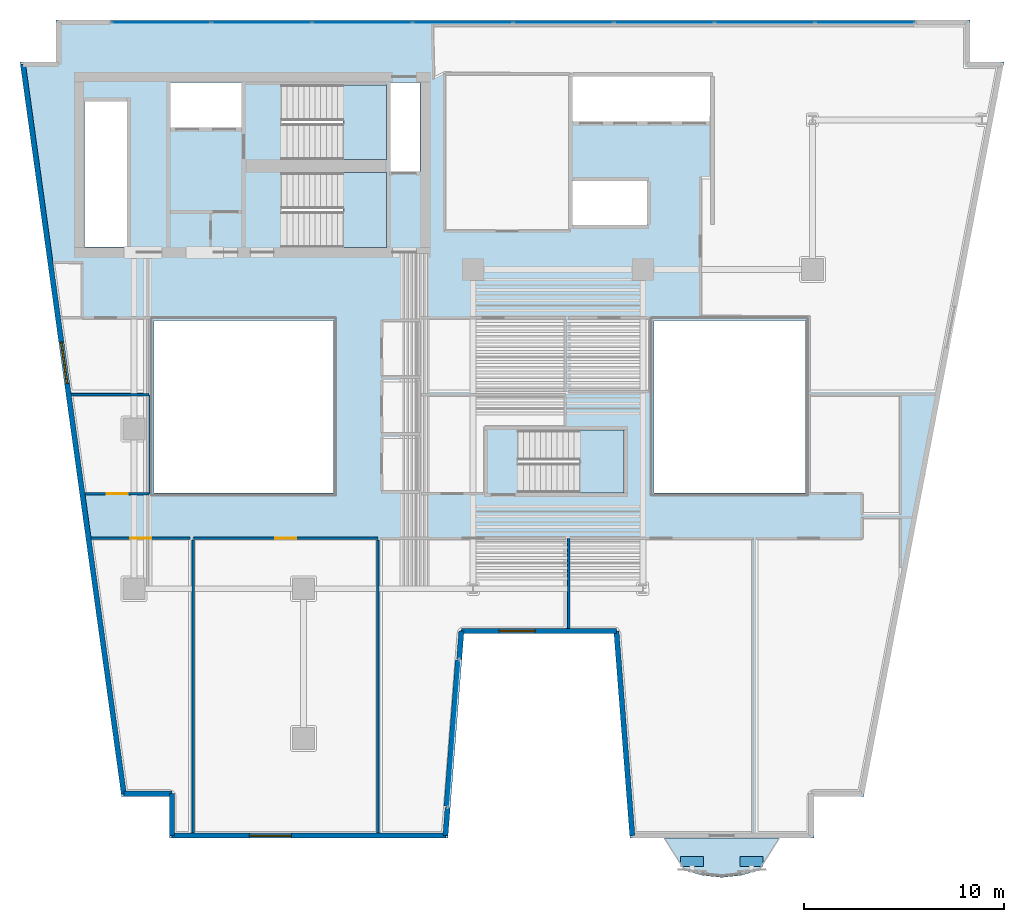
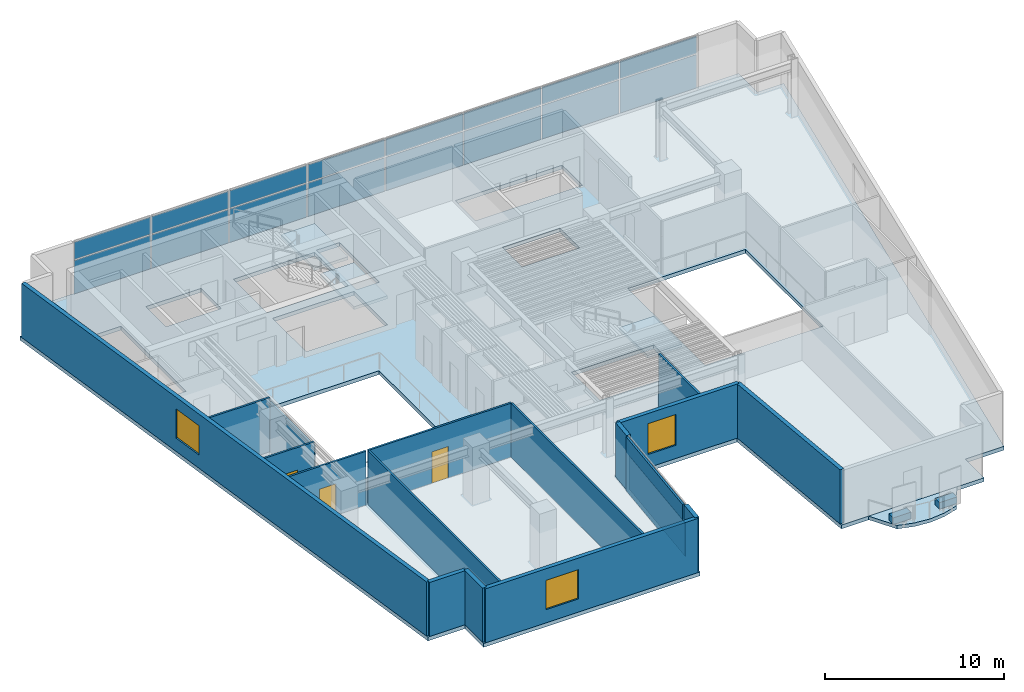
# One storey, part 5 of 13: 20 plates, 17 walls, 5 slabs, 3 doors, 3 windows, 6 openings, 5 elements without a shape of their own.
"""IFC4 building model written with IfcOpenShell, lengths in metres."""

from ifc_helpers import new_model, si_unit, direction, frame, frame_2d, origin, origin_2d, place, context, subcontext, project, spatial, polyline, rectangle, outline, extrude, material, layer, layer_set, type_object, element, fill, aggregate, save


model = new_model("IFC4")

# Units and contexts
model_context = context("Model", 3, precision=1e-05, world=origin(), true_north=direction((0.0, 1.0)))
body_context = subcontext(model_context, "Body", "Model", "MODEL_VIEW")
ifc_project = project(units=[si_unit("LENGTHUNIT", "METRE"), si_unit("AREAUNIT", "SQUARE_METRE"), si_unit("VOLUMEUNIT", "CUBIC_METRE"), si_unit("PLANEANGLEUNIT", "RADIAN"), si_unit("MASSUNIT", "GRAM", prefix="KILO")], contexts=[model_context])

# Site, building, storey
site_placement = place(None, origin())
site = spatial("IfcSite", under=ifc_project, at=site_placement, CompositionType="ELEMENT")
building_placement = place(site_placement, origin())
building = spatial("IfcBuilding", under=site, at=building_placement, Name="Caeloran Harvest Quay", CompositionType="ELEMENT")
storey_placement = place(building_placement, frame((0.0, 0.0, 166.699951171875)))
storey = spatial("IfcBuildingStorey", under=building, at=storey_placement, Name="L39", CompositionType="ELEMENT", Elevation=166.699951171875)

# Slab
ifc_material_1 = material(Name="Concrete C50/60", Category="concrete")
ifc_layer_1 = layer(ifc_material_1, 0.239990234375, Name="Concrete C50/60")
ifc_layer_set_1 = layer_set([ifc_layer_1], Name="Concrete C50/60")
slab_type_1 = type_object("IfcSlabType", Name="BALCONY-BL-240", PredefinedType="FLOOR", material=ifc_layer_set_1)
slab_1_placement = place(storey_placement, frame((0.0, 0.0, -0.239990234375)))
element("IfcSlab", 1, at=slab_1_placement, inside=storey, type_object=slab_type_1, Name="L39 Scalloped Cantilevered Planted Balcony Slab", PredefinedType="FLOOR", context=body_context, shape_type="SweptSolid", body=[
    extrude(outline(polyline([(39.869873046875, 0.9072265625), (38.913818359375, 0.63427734375), (37.95751953125, 0.5341796875), (37.001220703125, 0.63427734375), (36.045166015625, 0.9072265625), (35.100830078125, 2.5), (40.814208984375, 2.5), (39.869873046875, 0.9072265625)])), origin(), (0.0, 0.0, 1.0), 0.239990234375),
])

# Curtain wall, plates
ifc_material_2 = material(Name="Aluminium 6063-T6 and Low-E Glazing", Category="aluminium")
ifc_layer_2 = layer(ifc_material_2, 0.22998046875, Name="Aluminium 6063-T6 and Low-E Glazing")
ifc_layer_set_2 = layer_set([ifc_layer_2], Name="Aluminium 6063-T6 and Low-E Glazing")
curtain_wall_type = type_object("IfcCurtainWallType", Name="CW-SYS-CW-6", PredefinedType="USERDEFINED", material=ifc_layer_set_2)
curtain_wall_1_placement = place(storey_placement, origin())
curtain_wall_1 = element("IfcCurtainWall", 2, at=curtain_wall_1_placement, inside=storey, type_object=curtain_wall_type, Name="L39 Unitised Curtain Wall CW-6 Run 6", ObjectType="CURTAIN_WALL", PredefinedType="USERDEFINED")
ifc_material_3 = material(Name="Low-E Double Glazed Vision Glass Unit", Category="glass")
ifc_layer_3 = layer(ifc_material_3, 0.035888671875, Name="Low-E Double Glazed Vision Glass Unit")
ifc_layer_set_3 = layer_set([ifc_layer_3], Name="Low-E Double Glazed Vision Glass Unit")
plate_type_1 = type_object("IfcPlateType", Name="CW-VISION-PANEL", PredefinedType="CURTAIN_PANEL", material=ifc_layer_set_3)
plate_1_placement = place(storey_placement, frame((9.871337890625, 43.3701171875, 0.080078125), z_axis=(0.0, 0.0, 1.0), x_axis=(1.0, 0.0, 0.0)))
plate_1 = element("IfcPlate", 3, at=plate_1_placement, type_object=plate_type_1, Name="CW-6 panel 1.1", PredefinedType="CURTAIN_PANEL", context=body_context, shape_type="SweptSolid", body=[
    extrude(rectangle(XDim=4.922607421875, YDim=0.035888671875, at=origin_2d()), origin(), (0.0, 0.0, 1.0), 2.280029296875),
])
plate_2_placement = place(storey_placement, frame((9.871337890625, 43.3701171875, 2.440185546875), z_axis=(0.0, 0.0, 1.0), x_axis=(1.0, 0.0, 0.0)))
plate_2 = element("IfcPlate", 4, at=plate_2_placement, type_object=plate_type_1, Name="CW-6 panel 1.2", PredefinedType="CURTAIN_PANEL", context=body_context, shape_type="SweptSolid", body=[
    extrude(rectangle(XDim=4.922607421875, YDim=0.035888671875, at=origin_2d()), origin(), (0.0, 0.0, 1.0), 1.169921875),
])
plate_3_placement = place(storey_placement, frame((14.893798828125, 43.3701171875, 0.080078125), z_axis=(0.0, 0.0, 1.0), x_axis=(1.0, 0.0, 0.0)))
plate_3 = element("IfcPlate", 5, at=plate_3_placement, type_object=plate_type_1, Name="CW-6 panel 2.1", PredefinedType="CURTAIN_PANEL", context=body_context, shape_type="SweptSolid", body=[
    extrude(rectangle(XDim=4.96240234375, YDim=0.035888671875, at=origin_2d()), origin(), (0.0, 0.0, 1.0), 2.280029296875),
])
plate_4_placement = place(storey_placement, frame((14.893798828125, 43.3701171875, 2.440185546875), z_axis=(0.0, 0.0, 1.0), x_axis=(1.0, 0.0, 0.0)))
plate_4 = element("IfcPlate", 6, at=plate_4_placement, type_object=plate_type_1, Name="CW-6 panel 2.2", PredefinedType="CURTAIN_PANEL", context=body_context, shape_type="SweptSolid", body=[
    extrude(rectangle(XDim=4.96240234375, YDim=0.035888671875, at=origin_2d()), origin(), (0.0, 0.0, 1.0), 1.169921875),
])
plate_5_placement = place(storey_placement, frame((19.936279296875, 43.3701171875, 0.080078125), z_axis=(0.0, 0.0, 1.0), x_axis=(1.0, 0.0, 0.0)))
plate_5 = element("IfcPlate", 7, at=plate_5_placement, type_object=plate_type_1, Name="CW-6 panel 3.1", PredefinedType="CURTAIN_PANEL", context=body_context, shape_type="SweptSolid", body=[
    extrude(rectangle(XDim=4.96240234375, YDim=0.035888671875, at=origin_2d()), origin(), (0.0, 0.0, 1.0), 2.280029296875),
])
plate_6_placement = place(storey_placement, frame((19.936279296875, 43.3701171875, 2.440185546875), z_axis=(0.0, 0.0, 1.0), x_axis=(1.0, 0.0, 0.0)))
plate_6 = element("IfcPlate", 8, at=plate_6_placement, type_object=plate_type_1, Name="CW-6 panel 3.2", PredefinedType="CURTAIN_PANEL", context=body_context, shape_type="SweptSolid", body=[
    extrude(rectangle(XDim=4.96240234375, YDim=0.035888671875, at=origin_2d()), origin(), (0.0, 0.0, 1.0), 1.169921875),
])
plate_7_placement = place(storey_placement, frame((24.978759765625, 43.3701171875, 0.080078125), z_axis=(0.0, 0.0, 1.0), x_axis=(1.0, 0.0, 0.0)))
plate_7 = element("IfcPlate", 9, at=plate_7_placement, type_object=plate_type_1, Name="CW-6 panel 4.1", PredefinedType="CURTAIN_PANEL", context=body_context, shape_type="SweptSolid", body=[
    extrude(rectangle(XDim=4.96240234375, YDim=0.035888671875, at=origin_2d()), origin(), (0.0, 0.0, 1.0), 2.280029296875),
])
plate_8_placement = place(storey_placement, frame((24.978759765625, 43.3701171875, 2.440185546875), z_axis=(0.0, 0.0, 1.0), x_axis=(1.0, 0.0, 0.0)))
plate_8 = element("IfcPlate", 10, at=plate_8_placement, type_object=plate_type_1, Name="CW-6 panel 4.2", PredefinedType="CURTAIN_PANEL", context=body_context, shape_type="SweptSolid", body=[
    extrude(rectangle(XDim=4.96240234375, YDim=0.035888671875, at=origin_2d()), origin(), (0.0, 0.0, 1.0), 1.169921875),
])
plate_9_placement = place(storey_placement, frame((30.021240234375, 43.3701171875, 0.080078125), z_axis=(0.0, 0.0, 1.0), x_axis=(1.0, 0.0, 0.0)))
plate_9 = element("IfcPlate", 11, at=plate_9_placement, type_object=plate_type_1, Name="CW-6 panel 5.1", PredefinedType="CURTAIN_PANEL", context=body_context, shape_type="SweptSolid", body=[
    extrude(rectangle(XDim=4.96240234375, YDim=0.035888671875, at=origin_2d()), origin(), (0.0, 0.0, 1.0), 2.280029296875),
])
plate_10_placement = place(storey_placement, frame((30.021240234375, 43.3701171875, 2.440185546875), z_axis=(0.0, 0.0, 1.0), x_axis=(1.0, 0.0, 0.0)))
plate_10 = element("IfcPlate", 12, at=plate_10_placement, type_object=plate_type_1, Name="CW-6 panel 5.2", PredefinedType="CURTAIN_PANEL", context=body_context, shape_type="SweptSolid", body=[
    extrude(rectangle(XDim=4.96240234375, YDim=0.035888671875, at=origin_2d()), origin(), (0.0, 0.0, 1.0), 1.169921875),
])
plate_11_placement = place(storey_placement, frame((35.063720703125, 43.3701171875, 0.080078125), z_axis=(0.0, 0.0, 1.0), x_axis=(1.0, 0.0, 0.0)))
plate_11 = element("IfcPlate", 13, at=plate_11_placement, type_object=plate_type_1, Name="CW-6 panel 6.1", PredefinedType="CURTAIN_PANEL", context=body_context, shape_type="SweptSolid", body=[
    extrude(rectangle(XDim=4.96240234375, YDim=0.035888671875, at=origin_2d()), origin(), (0.0, 0.0, 1.0), 2.280029296875),
])
plate_12_placement = place(storey_placement, frame((35.063720703125, 43.3701171875, 2.440185546875), z_axis=(0.0, 0.0, 1.0), x_axis=(1.0, 0.0, 0.0)))
plate_12 = element("IfcPlate", 14, at=plate_12_placement, type_object=plate_type_1, Name="CW-6 panel 6.2", PredefinedType="CURTAIN_PANEL", context=body_context, shape_type="SweptSolid", body=[
    extrude(rectangle(XDim=4.96240234375, YDim=0.035888671875, at=origin_2d()), origin(), (0.0, 0.0, 1.0), 1.169921875),
])
plate_13_placement = place(storey_placement, frame((40.106201171875, 43.3701171875, 0.080078125), z_axis=(0.0, 0.0, 1.0), x_axis=(1.0, 0.0, 0.0)))
plate_13 = element("IfcPlate", 15, at=plate_13_placement, type_object=plate_type_1, Name="CW-6 panel 7.1", PredefinedType="CURTAIN_PANEL", context=body_context, shape_type="SweptSolid", body=[
    extrude(rectangle(XDim=4.96240234375, YDim=0.035888671875, at=origin_2d()), origin(), (0.0, 0.0, 1.0), 2.280029296875),
])
plate_14_placement = place(storey_placement, frame((40.106201171875, 43.3701171875, 2.440185546875), z_axis=(0.0, 0.0, 1.0), x_axis=(1.0, 0.0, 0.0)))
plate_14 = element("IfcPlate", 16, at=plate_14_placement, type_object=plate_type_1, Name="CW-6 panel 7.2", PredefinedType="CURTAIN_PANEL", context=body_context, shape_type="SweptSolid", body=[
    extrude(rectangle(XDim=4.96240234375, YDim=0.035888671875, at=origin_2d()), origin(), (0.0, 0.0, 1.0), 1.169921875),
])
plate_15_placement = place(storey_placement, frame((45.128662109375, 43.3701171875, 0.080078125), z_axis=(0.0, 0.0, 1.0), x_axis=(1.0, 0.0, 0.0)))
plate_15 = element("IfcPlate", 17, at=plate_15_placement, type_object=plate_type_1, Name="CW-6 panel 8.1", PredefinedType="CURTAIN_PANEL", context=body_context, shape_type="SweptSolid", body=[
    extrude(rectangle(XDim=4.922607421875, YDim=0.035888671875, at=origin_2d()), origin(), (0.0, 0.0, 1.0), 2.280029296875),
])
plate_16_placement = place(storey_placement, frame((45.128662109375, 43.3701171875, 2.440185546875), z_axis=(0.0, 0.0, 1.0), x_axis=(1.0, 0.0, 0.0)))
plate_16 = element("IfcPlate", 18, at=plate_16_placement, type_object=plate_type_1, Name="CW-6 panel 8.2", PredefinedType="CURTAIN_PANEL", context=body_context, shape_type="SweptSolid", body=[
    extrude(rectangle(XDim=4.922607421875, YDim=0.035888671875, at=origin_2d()), origin(), (0.0, 0.0, 1.0), 1.169921875),
])
aggregate(curtain_wall_1, [plate_1, plate_2, plate_3, plate_4, plate_5, plate_6, plate_7, plate_8, plate_9, plate_10, plate_11, plate_12, plate_13, plate_14, plate_15, plate_16])

curtain_wall_2_placement = place(storey_placement, origin())
curtain_wall_2 = element("IfcCurtainWall", 19, at=curtain_wall_2_placement, inside=storey, type_object=curtain_wall_type, Name="L39 Unitised Curtain Wall CW-6 Run 15", ObjectType="CURTAIN_WALL", PredefinedType="USERDEFINED")
plate_17_placement = place(storey_placement, frame((24.509765625, 7.7548828125, 0.080078125), z_axis=(0.0, 0.0, 1.0), x_axis=(-0.077821861046, -0.996967280277, 0.0)))
plate_17 = element("IfcPlate", 20, at=plate_17_placement, type_object=plate_type_1, Name="CW-6 panel 1.1", PredefinedType="CURTAIN_PANEL", context=body_context, shape_type="SweptSolid", body=[
    extrude(rectangle(XDim=7.3212890625, YDim=0.035888671875, at=origin_2d()), origin(), (0.0, 0.0, 1.0), 2.280029296875),
])
plate_18_placement = place(storey_placement, frame((24.509765625, 7.7548828125, 2.440185546875), z_axis=(0.0, 0.0, 1.0), x_axis=(-0.077821861046, -0.996967280277, 0.0)))
plate_18 = element("IfcPlate", 21, at=plate_18_placement, type_object=plate_type_1, Name="CW-6 panel 1.2", PredefinedType="CURTAIN_PANEL", context=body_context, shape_type="SweptSolid", body=[
    extrude(rectangle(XDim=7.3212890625, YDim=0.035888671875, at=origin_2d()), origin(), (0.0, 0.0, 1.0), 1.169921875),
])
aggregate(curtain_wall_2, [plate_17, plate_18])

# Plates
ifc_material_4 = material(Name="Precast concrete C50/60", Category="concrete")
ifc_layer_4 = layer(ifc_material_4, 0.449951171875, Name="Precast concrete C50/60")
ifc_layer_set_4 = layer_set([ifc_layer_4], Name="Precast concrete C50/60")
plate_type_2 = type_object("IfcPlateType", Name="PLANTER-TROUGH-450", PredefinedType="USERDEFINED", material=ifc_layer_set_4)
for number, where, z_axis, x_axis, name in (
    (22, (39.44921875, 1.330810546875, 0.0), (0.0, 0.0, 1.0), (1.0, 0.0, 0.0), "L39 Balcony Vertical-Greenery Precast PLANTER Trough 1"),
    (23, (36.4658203125, 1.330810546875, 0.0), (0.0, 0.0, 1.0), (1.0, 0.0, 0.0), "L39 Balcony Vertical-Greenery Precast PLANTER Trough 2"),
):
    element("IfcPlate", number, at=place(storey_placement, frame(where, z_axis=z_axis, x_axis=x_axis)), inside=storey, type_object=plate_type_2, Name=name, ObjectType="PLANTER", PredefinedType="USERDEFINED", context=body_context, shape_type="SweptSolid", body=[
        extrude(rectangle(XDim=1.14990234375, YDim=0.47998046875, at=origin_2d()), origin(), (0.0, 0.0, 1.0), 0.449951171875),
    ])

# Slab
ifc_layer_5 = layer(ifc_material_1, 0.260009765625, Name="Concrete C50/60")
ifc_layer_set_5 = layer_set([ifc_layer_5], Name="Concrete C50/60")
slab_type_2 = type_object("IfcSlabType", Name="SLAB-FS-260", PredefinedType="FLOOR", material=ifc_layer_set_5)
slab_2_placement = place(storey_placement, frame((0.0, 0.0, -0.260009765625)))
element("IfcSlab", 24, at=slab_2_placement, inside=storey, type_object=slab_type_2, Name="L39 Structural Floor Slab", PredefinedType="FLOOR", context=body_context, shape_type="SweptSolid", body=[
    extrude(outline(polyline([(10.27001953125, 2.5), (24.22998046875, 2.5), (25.030029296875, 12.75), (32.554931640625, 12.75), (33.35498046875, 2.5), (42.570068359375, 2.5), (42.570068359375, 4.60009765625), (45.071044921875, 4.60009765625), (52.09912109375, 41.39990234375), (50.39990234375, 41.39990234375), (50.39990234375, 43.5), (4.60009765625, 43.5), (4.60009765625, 41.39990234375), (2.790283203125, 41.39990234375), (7.879638671875, 4.60009765625), (10.27001953125, 4.60009765625), (10.27001953125, 2.5)]), holes=[polyline([(27.75, 19.800048828125), (27.75, 22.949951171875), (33.050048828125, 22.949951171875), (33.050048828125, 19.800048828125), (27.75, 19.800048828125)]), polyline([(18.5, 19.800048828125), (9.5, 19.800048828125), (9.5, 28.449951171875), (18.5, 28.449951171875), (18.5, 19.800048828125)]), polyline([(42.14990234375, 19.800048828125), (34.550048828125, 19.800048828125), (34.550048828125, 28.449951171875), (42.14990234375, 28.449951171875), (42.14990234375, 19.800048828125)]), polyline([(15.89990234375, 35.85009765625), (21.14990234375, 35.85009765625), (21.14990234375, 32.10009765625), (15.89990234375, 32.10009765625), (15.89990234375, 35.85009765625)]), polyline([(30.47998046875, 33.219970703125), (30.47998046875, 35.429931640625), (34.199951171875, 35.429931640625), (34.199951171875, 33.219970703125), (30.47998046875, 33.219970703125)]), polyline([(8.159912109375, 32.1201171875), (6.02001953125, 32.1201171875), (6.02001953125, 39.419921875), (8.159912109375, 39.419921875), (8.159912109375, 32.1201171875)]), polyline([(22.830078125, 35.919921875), (21.35009765625, 35.919921875), (21.35009765625, 40.3798828125), (22.830078125, 40.3798828125), (22.830078125, 35.919921875)]), polyline([(15.89990234375, 36.5), (15.89990234375, 40.25), (21.14990234375, 40.25), (21.14990234375, 36.5), (15.89990234375, 36.5)]), polyline([(10.320068359375, 38.1201171875), (10.320068359375, 40.3798828125), (13.89990234375, 40.3798828125), (13.89990234375, 38.1201171875), (10.320068359375, 38.1201171875)]), polyline([(30.47998046875, 38.419921875), (30.47998046875, 40.679931640625), (37.3798828125, 40.679931640625), (37.3798828125, 38.419921875), (30.47998046875, 38.419921875)])]), origin(), (0.0, 0.0, 1.0), 0.260009765625),
])

# Stair, slab
stair_type_1 = type_object("IfcStairType", Name="STAIR-STC-180", PredefinedType="HALF_TURN_STAIR", material=ifc_material_1)
stair_1_placement = place(storey_placement, origin())
stair_1 = element("IfcStair", 25, at=stair_1_placement, inside=storey, type_object=stair_type_1, Name="L39 Core Pressurized Exit Stair ST-C1", PredefinedType="HALF_TURN_STAIR")
ifc_layer_6 = layer(ifc_material_1, 0.219970703125, Name="Concrete C50/60")
ifc_layer_set_6 = layer_set([ifc_layer_6], Name="Concrete C50/60")
slab_type_3 = type_object("IfcSlabType", Name="STAIR-LANDING-220", PredefinedType="LANDING", material=ifc_layer_set_6)
slab_3_placement = place(storey_placement, frame((0.0, 0.0, 1.775146484375)))
slab_3 = element("IfcSlab", 26, at=slab_3_placement, type_object=slab_type_3, Name="ST-C1 landing 1", PredefinedType="LANDING", context=body_context, shape_type="SweptSolid", body=[
    extrude(outline(polyline([(18.97998046875, 36.5), (21.14990234375, 36.5), (21.14990234375, 40.25), (18.97998046875, 40.25), (18.97998046875, 36.5)])), origin(), (0.0, 0.0, 1.0), 0.199951171875),
])
aggregate(stair_1, [slab_3])

stair_2_placement = place(storey_placement, origin())
stair_2 = element("IfcStair", 27, at=stair_2_placement, inside=storey, type_object=stair_type_1, Name="L39 Core Pressurized Exit Stair ST-C2", PredefinedType="HALF_TURN_STAIR")
slab_4_placement = place(storey_placement, frame((0.0, 0.0, 1.775146484375)))
slab_4 = element("IfcSlab", 28, at=slab_4_placement, type_object=slab_type_3, Name="ST-C2 landing 1", PredefinedType="LANDING", context=body_context, shape_type="SweptSolid", body=[
    extrude(outline(polyline([(18.97998046875, 32.10009765625), (21.14990234375, 32.10009765625), (21.14990234375, 35.85009765625), (18.97998046875, 35.85009765625), (18.97998046875, 32.10009765625)])), origin(), (0.0, 0.0, 1.0), 0.199951171875),
])
aggregate(stair_2, [slab_4])

stair_type_2 = type_object("IfcStairType", Name="STAIR-STW-150", PredefinedType="HALF_TURN_STAIR", material=ifc_material_1)
stair_3_placement = place(storey_placement, origin())
stair_3 = element("IfcStair", 29, at=stair_3_placement, inside=storey, type_object=stair_type_2, Name="L39 East Wing Protected Exit Stair ST-W1", PredefinedType="HALF_TURN_STAIR")
slab_5_placement = place(storey_placement, frame((0.0, 0.0, 1.775146484375)))
slab_5 = element("IfcSlab", 30, at=slab_5_placement, type_object=slab_type_3, Name="ST-W1 landing 1", PredefinedType="LANDING", context=body_context, shape_type="SweptSolid", body=[
    extrude(outline(polyline([(30.830078125, 19.800048828125), (33.050048828125, 19.800048828125), (33.050048828125, 22.949951171875), (30.830078125, 22.949951171875), (30.830078125, 19.800048828125)])), origin(), (0.0, 0.0, 1.0), 0.199951171875),
])
aggregate(stair_3, [slab_5])

# Walls
ifc_layer_7 = layer(ifc_material_4, 0.260009765625, Name="Precast concrete C50/60")
ifc_layer_set_7 = layer_set([ifc_layer_7], Name="Precast concrete C50/60")
wall_type_1 = type_object("IfcWallType", Name="ENV-WALL-EW-260", PredefinedType="STANDARD", material=ifc_layer_set_7)
wall_1_placement = place(storey_placement, frame((10.39990234375, 2.6298828125, 0.0), z_axis=(0.0, 0.0, 1.0), x_axis=(0.0, 1.0, 0.0)))
element("IfcWall", 31, at=wall_1_placement, inside=storey, type_object=wall_type_1, Name="L39 Exterior Precast Concrete Facade Wall 1", PredefinedType="STANDARD", context=body_context, shape_type="SweptSolid", body=[
    extrude(rectangle(XDim=2.10009765625, YDim=0.260009765625, at=frame_2d((1.050048828125, 0.0))), origin(), (0.0, 0.0, 1.0), 3.68994140625),
])
wall_2_placement = place(storey_placement, frame((10.39990234375, 4.72998046875, 0.0), z_axis=(0.0, 0.0, 1.0), x_axis=(-1.0, 0.0, 0.0)))
element("IfcWall", 32, at=wall_2_placement, inside=storey, type_object=wall_type_1, Name="L39 Exterior Precast Concrete Facade Wall 2", PredefinedType="STANDARD", context=body_context, shape_type="SweptSolid", body=[
    extrude(rectangle(XDim=2.406982421875, YDim=0.260009765625, at=frame_2d((1.20361328125, 0.0))), origin(), (0.0, 0.0, 1.0), 3.68994140625),
])

# Wall, opening, window
wall_3_placement = place(storey_placement, frame((7.992919921875, 4.72998046875, 0.0), z_axis=(0.0, 0.0, 1.0), x_axis=(-0.136989009016, 0.990572567462, 0.0)))
wall_3 = element("IfcWall", 33, at=wall_3_placement, inside=storey, type_object=wall_type_1, Name="L39 Exterior Precast Concrete Facade Wall 3", PredefinedType="STANDARD", context=body_context, shape_type="SweptSolid", body=[
    extrude(rectangle(XDim=36.8876953125, YDim=0.260009765625, at=frame_2d((18.44384765625, 0.0))), origin(), (0.0, 0.0, 1.0), 3.68994140625),
])
opening_1_placement = place(wall_3_placement, frame((20.74755859375, 0.0, 0.89990234375)))
opening_1 = element("IfcOpeningElement", 34, at=opening_1_placement, cuts=wall_3, Name="Opening W-06", PredefinedType="OPENING", context=body_context, shape_type="SweptSolid", body=[
    extrude(rectangle(XDim=2.10009765625, YDim=2.0, at=frame_2d((1.050048828125, 1.0))), frame((0.0, 0.14013671875, 0.0), z_axis=(0.0, -1.0, 0.0), x_axis=(1.0, 0.0, 0.0)), (0.0, 0.0, 1.0), 0.280029296875),
])
ifc_material_5 = material(Name="Aluminium-Framed Low-E Laminated Glass", Category="aluminium")
window_type_1 = type_object("IfcWindowType", Name="WIN-W-06", PartitioningType="DOUBLE_PANEL_VERTICAL", PredefinedType="WINDOW", material=ifc_material_5)
window_1_placement = place(opening_1_placement, origin())
window_1 = element("IfcWindow", 35, at=window_1_placement, inside=storey, type_object=window_type_1, Name="L39 Facade Punched Window W-06", OverallHeight=2.0, OverallWidth=2.10009765625, PartitioningType="DOUBLE_PANEL_VERTICAL", PredefinedType="WINDOW", context=body_context, shape_type="SweptSolid", body=[
    extrude(rectangle(XDim=2.10009765625, YDim=2.0, at=frame_2d((1.050048828125, 1.0))), frame((0.0, 0.030029296875, 0.0), z_axis=(0.0, -1.0, 0.0), x_axis=(1.0, 0.0, 0.0)), (0.0, 0.0, 1.0), 0.06005859375),
])
fill(opening_1, window_1)

# Wall
wall_4_placement = place(storey_placement, frame((33.47509765625, 2.6298828125, 0.0), z_axis=(0.0, 0.0, 1.0), x_axis=(-0.077793257511, 0.996969512616, 0.0)))
element("IfcWall", 36, at=wall_4_placement, inside=storey, type_object=wall_type_1, Name="L39 Exterior Precast Concrete Facade Wall 13", PredefinedType="STANDARD", context=body_context, shape_type="SweptSolid", body=[
    extrude(rectangle(XDim=10.28125, YDim=0.260009765625, at=frame_2d((5.140625, 0.0))), origin(), (0.0, 0.0, 1.0), 3.68994140625),
])

# Wall, opening, window
wall_5_placement = place(storey_placement, frame((32.67529296875, 12.8798828125, 0.0), z_axis=(0.0, 0.0, 1.0), x_axis=(-1.0, 0.0, 0.0)))
wall_5 = element("IfcWall", 37, at=wall_5_placement, inside=storey, type_object=wall_type_1, Name="L39 Exterior Precast Concrete Facade Wall 14", PredefinedType="STANDARD", context=body_context, shape_type="SweptSolid", body=[
    extrude(rectangle(XDim=7.765380859375, YDim=0.260009765625, at=frame_2d((3.8828125, 0.0))), origin(), (0.0, 0.0, 1.0), 3.68994140625),
])
opening_2_placement = place(wall_5_placement, frame((4.070068359375, 0.0, 0.89990234375)))
opening_2 = element("IfcOpeningElement", 38, at=opening_2_placement, cuts=wall_5, Name="Opening W-01", PredefinedType="OPENING", context=body_context, shape_type="SweptSolid", body=[
    extrude(rectangle(XDim=1.800048828125, YDim=2.10009765625, at=frame_2d((0.89990234375, 1.050048828125))), frame((0.0, 0.14013671875, 0.0), z_axis=(0.0, -1.0, 0.0), x_axis=(1.0, 0.0, 0.0)), (0.0, 0.0, 1.0), 0.280029296875),
])
window_type_2 = type_object("IfcWindowType", Name="WIN-W-01", PartitioningType="SINGLE_PANEL", PredefinedType="WINDOW", material=ifc_material_5)
window_2_placement = place(opening_2_placement, origin())
window_2 = element("IfcWindow", 39, at=window_2_placement, inside=storey, type_object=window_type_2, Name="L39 Facade Punched Window W-01", OverallHeight=2.10009765625, OverallWidth=1.800048828125, PartitioningType="SINGLE_PANEL", PredefinedType="WINDOW", context=body_context, shape_type="SweptSolid", body=[
    extrude(rectangle(XDim=1.800048828125, YDim=2.10009765625, at=frame_2d((0.89990234375, 1.050048828125))), frame((0.0, 0.030029296875, 0.0), z_axis=(0.0, -1.0, 0.0), x_axis=(1.0, 0.0, 0.0)), (0.0, 0.0, 1.0), 0.06005859375),
])
fill(opening_2, window_2)

# Walls
for number, where, z_axis, x_axis, name in (
    (40, (24.909912109375, 12.8798828125, 0.0), (0.0, 0.0, 1.0), (-0.077949956455, -0.996957273051, 0.0), "L39 Exterior Facade Corner Pier Wall 15A"),
    (41, (24.21875, 4.025634765625, 0.0), (0.0, 0.0, 1.0), (-0.077776627829, -0.996970810086, 0.0), "L39 Exterior Facade Corner Pier Wall 15B"),
):
    element("IfcWall", number, at=place(storey_placement, frame(where, z_axis=z_axis, x_axis=x_axis)), inside=storey, type_object=wall_type_1, Name=name, PredefinedType="STANDARD", context=body_context, shape_type="SweptSolid", body=[
        extrude(rectangle(XDim=1.39990234375, YDim=0.260009765625, at=frame_2d((0.699951171875, 0.0))), origin(), (0.0, 0.0, 1.0), 3.68994140625),
    ])

# Wall, opening, window
wall_6_placement = place(storey_placement, frame((24.10986328125, 2.6298828125, 0.0), z_axis=(0.0, 0.0, 1.0), x_axis=(-1.0, 0.0, 0.0)))
wall_6 = element("IfcWall", 42, at=wall_6_placement, inside=storey, type_object=wall_type_1, Name="L39 Exterior Precast Concrete Facade Wall 16", PredefinedType="STANDARD", context=body_context, shape_type="SweptSolid", body=[
    extrude(rectangle(XDim=13.7099609375, YDim=0.260009765625, at=frame_2d((6.85498046875, 0.0))), origin(), (0.0, 0.0, 1.0), 3.68994140625),
])
opening_3_placement = place(wall_6_placement, frame((7.72412109375, 0.0, 0.89990234375)))
opening_3 = element("IfcOpeningElement", 43, at=opening_3_placement, cuts=wall_6, Name="Opening W-06", PredefinedType="OPENING", context=body_context, shape_type="SweptSolid", body=[
    extrude(rectangle(XDim=2.10009765625, YDim=2.0, at=frame_2d((1.050048828125, 1.0))), frame((0.0, 0.14013671875, 0.0), z_axis=(0.0, -1.0, 0.0), x_axis=(1.0, 0.0, 0.0)), (0.0, 0.0, 1.0), 0.280029296875),
])
window_3_placement = place(opening_3_placement, origin())
window_3 = element("IfcWindow", 44, at=window_3_placement, inside=storey, type_object=window_type_1, Name="L39 Facade Punched Window W-06", OverallHeight=2.0, OverallWidth=2.10009765625, PartitioningType="DOUBLE_PANEL_VERTICAL", PredefinedType="WINDOW", context=body_context, shape_type="SweptSolid", body=[
    extrude(rectangle(XDim=2.10009765625, YDim=2.0, at=frame_2d((1.050048828125, 1.0))), frame((0.0, 0.030029296875, 0.0), z_axis=(0.0, -1.0, 0.0), x_axis=(1.0, 0.0, 0.0)), (0.0, 0.0, 1.0), 0.06005859375),
])
fill(opening_3, window_3)

# Wall, opening, door
ifc_material_6 = material(Name="Twin-Stud Mineral-Wool Acoustic Gypsum Partition", Category="gypsum")
ifc_layer_8 = layer(ifc_material_6, 0.125, Name="Twin-Stud Mineral-Wool Acoustic Gypsum Partition")
ifc_layer_set_8 = layer_set([ifc_layer_8], Name="Twin-Stud Mineral-Wool Acoustic Gypsum Partition")
wall_type_2 = type_object("IfcWallType", Name="INT-WALL-PW-125", PredefinedType="PARTITIONING", material=ifc_layer_set_8)
wall_7_placement = place(storey_placement, frame((11.47998046875, 17.52001953125, 0.0), z_axis=(0.0, 0.0, 1.0), x_axis=(1.0, 0.0, 0.0)))
wall_7 = element("IfcWall", 45, at=wall_7_placement, inside=storey, type_object=wall_type_2, Name="Agro-Finance Summit Conference Hall Partition Wall", PredefinedType="PARTITIONING", context=body_context, shape_type="SweptSolid", body=[
    extrude(rectangle(XDim=9.239990234375, YDim=0.125, at=frame_2d((4.6201171875, 0.0))), origin(), (0.0, 0.0, 1.0), 3.68994140625),
])
opening_4_placement = place(wall_7_placement, frame((4.094970703125, 0.0, 0.0)))
opening_4 = element("IfcOpeningElement", 46, at=opening_4_placement, cuts=wall_7, Name="Opening ID-03", PredefinedType="OPENING", context=body_context, shape_type="SweptSolid", body=[
    extrude(rectangle(XDim=1.050048828125, YDim=2.14990234375, at=frame_2d((0.52490234375, 1.074951171875))), frame((0.0, 0.072509765625, 0.0), z_axis=(0.0, -1.0, 0.0), x_axis=(1.0, 0.0, 0.0)), (0.0, 0.0, 1.0), 0.14501953125),
])
ifc_material_7 = material(Name="FSC Solid-Core Oak Timber Leaf", Category="wood")
door_type = type_object("IfcDoorType", Name="INTDOOR-ID-03", OperationType="NOTDEFINED", PredefinedType="DOOR", material=ifc_material_7)
door_1_placement = place(opening_4_placement, origin())
door_1 = element("IfcDoor", 47, at=door_1_placement, inside=storey, type_object=door_type, Name="Agro-Finance Summit Conference Hall Access Door", OperationType="SINGLE_SWING_LEFT", OverallHeight=2.14990234375, OverallWidth=1.050048828125, PredefinedType="DOOR", context=body_context, shape_type="SweptSolid", body=[
    extrude(rectangle(XDim=1.050048828125, YDim=2.14990234375, at=frame_2d((0.52490234375, 1.074951171875))), frame((0.0, 0.02490234375, 0.0), z_axis=(0.0, -1.0, 0.0), x_axis=(1.0, 0.0, 0.0)), (0.0, 0.0, 1.0), 0.050048828125),
])
fill(opening_4, door_1)

# Walls
for number, where, z_axis, x_axis, name in (
    (48, (20.719970703125, 17.452392578125, 0.0), (0.0, 0.0, 1.0), (0.0, -1.0, 0.0), "Agro-Finance Summit Conference Hall Partition Wall"),
    (49, (11.47998046875, 2.764892578125, 0.0), (0.0, 0.0, 1.0), (0.0, 1.0, 0.0), "Agro-Finance Summit Conference Hall Partition Wall"),
):
    element("IfcWall", number, at=place(storey_placement, frame(where, z_axis=z_axis, x_axis=x_axis)), inside=storey, type_object=wall_type_2, Name=name, PredefinedType="PARTITIONING", context=body_context, shape_type="SweptSolid", body=[
        extrude(rectangle(XDim=14.6875, YDim=0.125, at=frame_2d((7.34375, 0.0))), origin(), (0.0, 0.0, 1.0), 3.68994140625),
    ])
wall_8_placement = place(storey_placement, frame((30.280029296875, 13.014892578125, 0.0), z_axis=(0.0, 0.0, 1.0), x_axis=(0.0, 1.0, 0.0)))
element("IfcWall", 50, at=wall_8_placement, inside=storey, type_object=wall_type_2, Name="Carbon Credit Seminar Room Partition Wall", PredefinedType="PARTITIONING", context=body_context, shape_type="SweptSolid", body=[
    extrude(rectangle(XDim=4.505126953125, YDim=0.125, at=frame_2d((2.25244140625, 0.0))), origin(), (0.0, 0.0, 1.0), 3.68994140625),
])

# Wall, opening, door
wall_9_placement = place(storey_placement, frame((6.3603515625, 17.52001953125, 0.0), z_axis=(0.0, 0.0, 1.0), x_axis=(1.0, 0.0, 0.0)))
wall_9 = element("IfcWall", 51, at=wall_9_placement, inside=storey, type_object=wall_type_2, Name="Investor Espresso Kitchen Partition Wall", PredefinedType="PARTITIONING", context=body_context, shape_type="SweptSolid", body=[
    extrude(rectangle(XDim=4.959716796875, YDim=0.125, at=frame_2d((2.47998046875, 0.0))), origin(), (0.0, 0.0, 1.0), 3.68994140625),
])
opening_5_placement = place(wall_9_placement, frame((1.954833984375, 0.0, 0.0)))
opening_5 = element("IfcOpeningElement", 52, at=opening_5_placement, cuts=wall_9, Name="Opening ID-03", PredefinedType="OPENING", context=body_context, shape_type="SweptSolid", body=[
    extrude(rectangle(XDim=1.050048828125, YDim=2.14990234375, at=frame_2d((0.52490234375, 1.074951171875))), frame((0.0, 0.072509765625, 0.0), z_axis=(0.0, -1.0, 0.0), x_axis=(1.0, 0.0, 0.0)), (0.0, 0.0, 1.0), 0.14501953125),
])
door_2_placement = place(opening_5_placement, origin())
door_2 = element("IfcDoor", 53, at=door_2_placement, inside=storey, type_object=door_type, Name="Investor Espresso Kitchen Access Door", OperationType="SINGLE_SWING_RIGHT", OverallHeight=2.14990234375, OverallWidth=1.050048828125, PredefinedType="DOOR", context=body_context, shape_type="SweptSolid", body=[
    extrude(rectangle(XDim=1.050048828125, YDim=2.14990234375, at=frame_2d((0.52490234375, 1.074951171875))), frame((0.0, 0.02490234375, 0.0), z_axis=(0.0, -1.0, 0.0), x_axis=(1.0, 0.0, 0.0)), (0.0, 0.0, 1.0), 0.050048828125),
])
fill(opening_5, door_2)

# Walls
wall_10_placement = place(storey_placement, frame((24.665771484375, 11.419921875, 0.0), z_axis=(0.0, 0.0, 1.0), x_axis=(-0.077816821526, -0.996967673642, 0.0)))
element("IfcWall", 54, at=wall_10_placement, inside=storey, type_object=wall_type_2, Name="Hospitality Catering Kitchen Partition Wall", PredefinedType="PARTITIONING", context=body_context, shape_type="SweptSolid", body=[
    extrude(rectangle(XDim=7.33203125, YDim=0.125, at=frame_2d((3.666015625, 0.0))), origin(), (0.0, 0.0, 1.0), 3.68994140625),
])
wall_11_placement = place(storey_placement, frame((9.320068359375, 24.719970703125, 0.0), z_axis=(0.0, 0.0, 1.0), x_axis=(0.0, -1.0, 0.0)))
element("IfcWall", 55, at=wall_11_placement, inside=storey, type_object=wall_type_2, Name="Executive Wellness Lounge Partition Wall", PredefinedType="PARTITIONING", context=body_context, shape_type="SweptSolid", body=[
    extrude(rectangle(XDim=4.969970703125, YDim=0.125, at=frame_2d((2.48486328125, 0.0))), origin(), (0.0, 0.0, 1.0), 3.375),
])

# Wall, opening, door
wall_12_placement = place(storey_placement, frame((9.25244140625, 19.75, 0.0), z_axis=(0.0, 0.0, 1.0), x_axis=(-1.0, 0.0, 0.0)))
wall_12 = element("IfcWall", 56, at=wall_12_placement, inside=storey, type_object=wall_type_2, Name="Executive Wellness Lounge Partition Wall", PredefinedType="PARTITIONING", context=body_context, shape_type="SweptSolid", body=[
    extrude(rectangle(XDim=3.200439453125, YDim=0.125, at=frame_2d((1.60009765625, 0.0))), origin(), (0.0, 0.0, 1.0), 3.68994140625),
])
opening_6_placement = place(wall_12_placement, frame((1.0751953125, 0.0, 0.0)))
opening_6 = element("IfcOpeningElement", 57, at=opening_6_placement, cuts=wall_12, Name="Opening ID-03", PredefinedType="OPENING", context=body_context, shape_type="SweptSolid", body=[
    extrude(rectangle(XDim=1.050048828125, YDim=2.14990234375, at=frame_2d((0.52490234375, 1.074951171875))), frame((0.0, 0.072509765625, 0.0), z_axis=(0.0, -1.0, 0.0), x_axis=(1.0, 0.0, 0.0)), (0.0, 0.0, 1.0), 0.14501953125),
])
door_3_placement = place(opening_6_placement, origin())
door_3 = element("IfcDoor", 58, at=door_3_placement, inside=storey, type_object=door_type, Name="Executive Wellness Lounge Access Door", OperationType="SINGLE_SWING_LEFT", OverallHeight=2.14990234375, OverallWidth=1.050048828125, PredefinedType="DOOR", context=body_context, shape_type="SweptSolid", body=[
    extrude(rectangle(XDim=1.050048828125, YDim=2.14990234375, at=frame_2d((0.52490234375, 1.074951171875))), frame((0.0, 0.02490234375, 0.0), z_axis=(0.0, -1.0, 0.0), x_axis=(1.0, 0.0, 0.0)), (0.0, 0.0, 1.0), 0.050048828125),
])
fill(opening_6, door_3)

# Wall
wall_13_placement = place(storey_placement, frame((5.36474609375, 24.719970703125, 0.0), z_axis=(0.0, 0.0, 1.0), x_axis=(1.0, 0.0, 0.0)))
element("IfcWall", 59, at=wall_13_placement, inside=storey, type_object=wall_type_2, Name="Executive Wellness Lounge Partition Wall", PredefinedType="PARTITIONING", context=body_context, shape_type="SweptSolid", body=[
    extrude(rectangle(XDim=3.8876953125, YDim=0.125, at=frame_2d((1.94384765625, 0.0))), origin(), (0.0, 0.0, 1.0), 3.68994140625),
])

save(model, "model.ifc")
